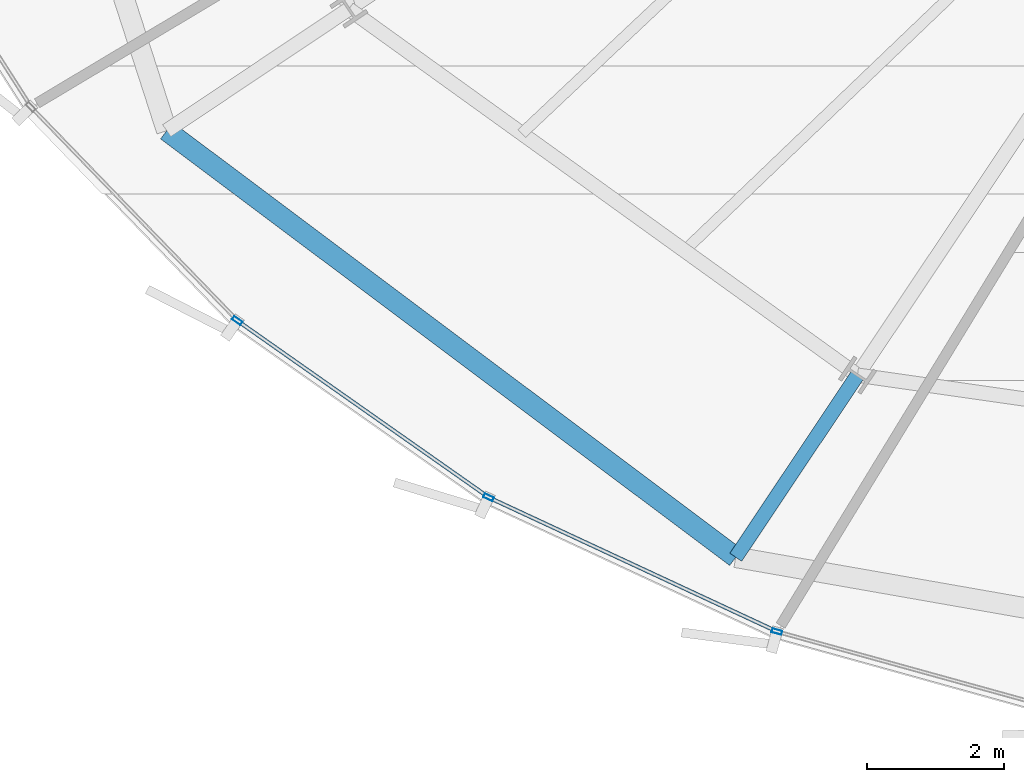
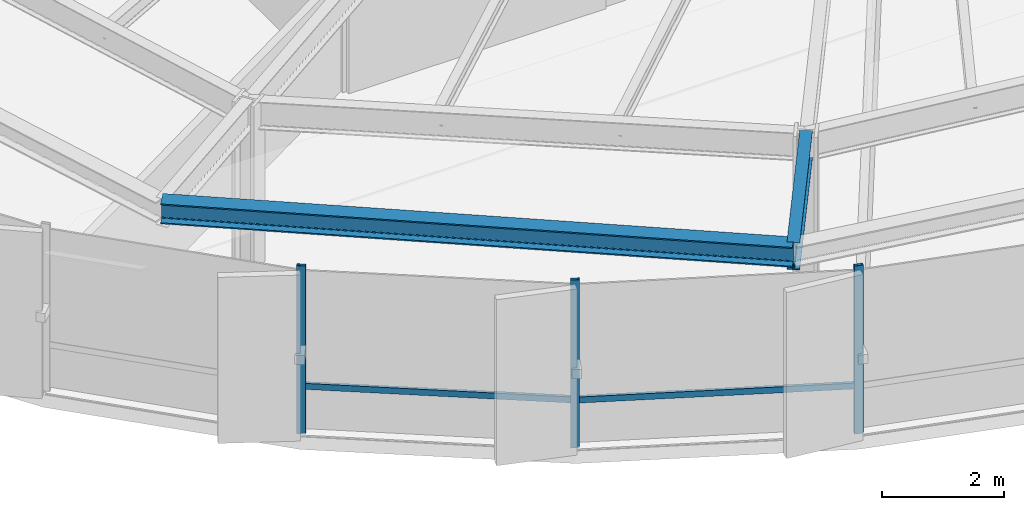
# One storey, part 2 of 35: 5 members, 2 beams, 1 element without a shape of its own.
"""IFC4 building model written with IfcOpenShell, lengths in metres."""

from ifc_helpers import new_model, si_unit, direction, frame, origin, origin_2d, place, context, subcontext, project, spatial, hollow_rectangle, i_section, extrude, source, transform, mapped, material, layer, layer_set, material_profile, profile_set, type_object, element, aggregate, save


model = new_model("IFC4")

# Units and contexts
model_context = context("Model", 3, precision=1e-05, world=origin(), true_north=direction((0.0, 1.0)))
body_context = subcontext(model_context, "Body", "Model", "MODEL_VIEW")
ifc_project = project(units=[si_unit("LENGTHUNIT", "METRE"), si_unit("AREAUNIT", "SQUARE_METRE"), si_unit("VOLUMEUNIT", "CUBIC_METRE"), si_unit("PLANEANGLEUNIT", "RADIAN"), si_unit("MASSUNIT", "GRAM", prefix="KILO"), si_unit("THERMODYNAMICTEMPERATUREUNIT", "KELVIN")], contexts=[model_context])

# Site, building, storey
site_placement = place(None, origin())
site = spatial("IfcSite", under=ifc_project, at=site_placement, CompositionType="ELEMENT")
building_placement = place(site_placement, origin())
building = spatial("IfcBuilding", under=site, at=building_placement, Name="Kethvar Cultural Tower", CompositionType="ELEMENT")
storey_placement = place(building_placement, frame((0.0, 0.0, 92.800048828125)))
storey = spatial("IfcBuildingStorey", under=building, at=storey_placement, Name="L22", CompositionType="ELEMENT", Elevation=92.800048828125)

# Beams
ifc_material_1 = material(Name="Steel S355J2", Category="steel")
ifc_material_profile_1 = material_profile(ifc_material_1, i_section(OverallWidth=0.2099609375, OverallDepth=0.550048828125, WebThickness=0.010986328125, FlangeThickness=0.01708984375, FilletRadius=0.02392578125, at=origin_2d()), Name="Steel S355J2 — IPE550")
ifc_profile_set_1 = profile_set([ifc_material_profile_1], Name="Steel S355J2 — IPE550")
beam_type_1 = type_object("IfcBeamType", Name="BM-IPE550", PredefinedType="BEAM", material=ifc_profile_set_1)
shared_shape_1 = source(origin(), body_context, "Body", "SweptSolid", [
    extrude(i_section(OverallWidth=0.2099609375, OverallDepth=0.550048828125, WebThickness=0.010986328125, FlangeThickness=0.01708984375, FilletRadius=0.02392578125, at=origin_2d()), origin(), (0.0, 0.0, 1.0), 3.199951171875),
])
beam_1_placement = place(storey_placement, frame((34.350830078125, 9.16845703125, 3.072998046875), z_axis=(-0.555580212716, -0.831462943996, 0.0), x_axis=(0.831462943996, -0.555580212716, 0.0)))
element("IfcBeam", 1, at=beam_1_placement, inside=storey, type_object=beam_type_1, Name="L22 Perimeter Cantilever Beam RC-11", PredefinedType="BEAM", context=body_context, shape_type="MappedRepresentation", body=[
    mapped(shared_shape_1, transform((0.0, 0.0, 0.0), scale=1.0)),
])
ifc_material_profile_2 = material_profile(ifc_material_1, i_section(OverallWidth=0.300048828125, OverallDepth=0.39990234375, WebThickness=0.013427734375, FlangeThickness=0.02392578125, FilletRadius=0.027099609375, at=origin_2d()), Name="Steel S355J2 — HEB400")
ifc_profile_set_2 = profile_set([ifc_material_profile_2], Name="Steel S355J2 — HEB400")
beam_type_2 = type_object("IfcBeamType", Name="BM-SP400", PredefinedType="SPANDREL", material=ifc_profile_set_2)
shared_shape_2 = source(origin(), body_context, "Body", "SweptSolid", [
    extrude(i_section(OverallWidth=0.300048828125, OverallDepth=0.39990234375, WebThickness=0.013427734375, FlangeThickness=0.02392578125, FilletRadius=0.027099609375, at=origin_2d()), origin(), (0.0, 0.0, 1.0), 10.38916015625),
])
beam_2_placement = place(storey_placement, frame((24.260009765625, 12.7392578125, 3.14794921875), z_axis=(0.800152249906, -0.599796946449, 0.0), x_axis=(0.599796946449, 0.800152249906, 0.0)))
element("IfcBeam", 2, at=beam_2_placement, inside=storey, type_object=beam_type_2, Name="L22 Perimeter Spandrel Beam SP-10", PredefinedType="SPANDREL", context=body_context, shape_type="MappedRepresentation", body=[
    mapped(shared_shape_2, transform((0.0, 0.0, 0.0), scale=1.0)),
])

# Curtain wall, members
ifc_material_2 = material(Name="Aluminium 6063-T6", Category="aluminium")
ifc_layer = layer(ifc_material_2, 0.179931640625, Name="Aluminium 6063-T6", Category="aluminium")
ifc_layer_set = layer_set([ifc_layer], Name="Aluminium 6063-T6 (180 mm)")
curtain_wall_type = type_object("IfcCurtainWallType", Name="CW-SYS-03-Z2", PredefinedType="NOTDEFINED", material=ifc_layer_set)
curtain_wall_placement = place(storey_placement, origin())
curtain_wall = element("IfcCurtainWall", 3, at=curtain_wall_placement, inside=storey, type_object=curtain_wall_type, Name="L22 Curtain Wall Run 04", PredefinedType="NOTDEFINED")
ifc_material_profile_3 = material_profile(ifc_material_2, hollow_rectangle(XDim=0.06005859375, YDim=0.14990234375, WallThickness=0.0048828125, at=origin_2d()), Name="Aluminium 6063-T6 — RHS150x60x5")
ifc_profile_set_3 = profile_set([ifc_material_profile_3], Name="Aluminium 6063-T6 — RHS150x60x5")
member_type_1 = type_object("IfcMemberType", Name="CW-SYS-03-Z2-MUL", PredefinedType="MULLION", material=ifc_profile_set_3)
shared_shape_3 = source(origin(), body_context, "Body", "SweptSolid", [
    extrude(hollow_rectangle(XDim=0.06005859375, YDim=0.14990234375, WallThickness=0.0048828125, at=origin_2d()), origin(), (0.0, 0.0, 1.0), 3.349853515625),
])
member_1_placement = place(storey_placement, frame((25.291015625, 9.96435546875, 0.0), z_axis=(0.0, 0.0, 1.0), x_axis=(0.574962413036, 0.818179823508, 0.0)))
member_1 = element("IfcMember", 4, at=member_1_placement, type_object=member_type_1, Name="CW-L22-R04 Mullion 4", PredefinedType="MULLION", context=body_context, shape_type="MappedRepresentation", body=[
    mapped(shared_shape_3, transform((0.0, 0.0, 0.0), scale=1.0)),
])
member_2_placement = place(storey_placement, frame((28.961181640625, 7.383056640625, 0.0), z_axis=(0.0, 0.0, 1.0), x_axis=(0.421732248947, 0.90672041457, 0.0)))
member_2 = element("IfcMember", 5, at=member_2_placement, type_object=member_type_1, Name="CW-L22-R04 Mullion 5", PredefinedType="MULLION", context=body_context, shape_type="MappedRepresentation", body=[
    mapped(shared_shape_3, transform((0.0, 0.0, 0.0), scale=1.0)),
])
member_3_placement = place(storey_placement, frame((33.17431640625, 5.42138671875, 0.0), z_axis=(0.0, 0.0, 1.0), x_axis=(0.266515104347, 0.963830741964, 0.0)))
member_3 = element("IfcMember", 6, at=member_3_placement, type_object=member_type_1, Name="CW-L22-R04 Mullion 6", PredefinedType="MULLION", context=body_context, shape_type="MappedRepresentation", body=[
    mapped(shared_shape_3, transform((0.0, 0.0, 0.0), scale=1.0)),
])
ifc_material_profile_4 = material_profile(ifc_material_2, hollow_rectangle(XDim=0.054931640625, YDim=0.1201171875, WallThickness=0.00390625, at=origin_2d()), Name="Aluminium 6063-T6 — RHS120x55x4")
ifc_profile_set_4 = profile_set([ifc_material_profile_4], Name="Aluminium 6063-T6 — RHS120x55x4")
member_type_2 = type_object("IfcMemberType", Name="CW-SYS-03-Z2-TRN", PredefinedType="USERDEFINED", material=ifc_profile_set_4)
shared_shape_4 = source(origin(), body_context, "Body", "SweptSolid", [
    extrude(hollow_rectangle(XDim=0.054931640625, YDim=0.1201171875, WallThickness=0.00390625, at=origin_2d()), origin(), (0.0, 0.0, 1.0), 4.580078125),
])
member_4_placement = place(storey_placement, frame((29.000244140625, 7.36474609375, 0.949951171875), z_axis=(0.906713527253, -0.421747056298, 0.0), x_axis=(0.421747056298, 0.906713527253, 0.0)))
member_4 = element("IfcMember", 7, at=member_4_placement, type_object=member_type_2, Name="CW-L22-R04 Transom 5", ObjectType="TRANSOM", PredefinedType="USERDEFINED", context=body_context, shape_type="MappedRepresentation", body=[
    mapped(shared_shape_4, transform((0.0, 0.0, 0.0), scale=1.0)),
])
shared_shape_5 = source(origin(), body_context, "Body", "SweptSolid", [
    extrude(hollow_rectangle(XDim=0.054931640625, YDim=0.1201171875, WallThickness=0.00390625, at=origin_2d()), origin(), (0.0, 0.0, 1.0), 4.420654296875),
])
member_5_placement = place(storey_placement, frame((25.326416015625, 9.939453125, 0.949951171875), z_axis=(0.818179760211, -0.574962503109, 0.0), x_axis=(0.574962503109, 0.818179760211, 0.0)))
member_5 = element("IfcMember", 8, at=member_5_placement, type_object=member_type_2, Name="CW-L22-R04 Transom 4", ObjectType="TRANSOM", PredefinedType="USERDEFINED", context=body_context, shape_type="MappedRepresentation", body=[
    mapped(shared_shape_5, transform((0.0, 0.0, 0.0), scale=1.0)),
])
aggregate(curtain_wall, [member_1, member_2, member_3, member_5, member_4])

save(model, "model.ifc")
